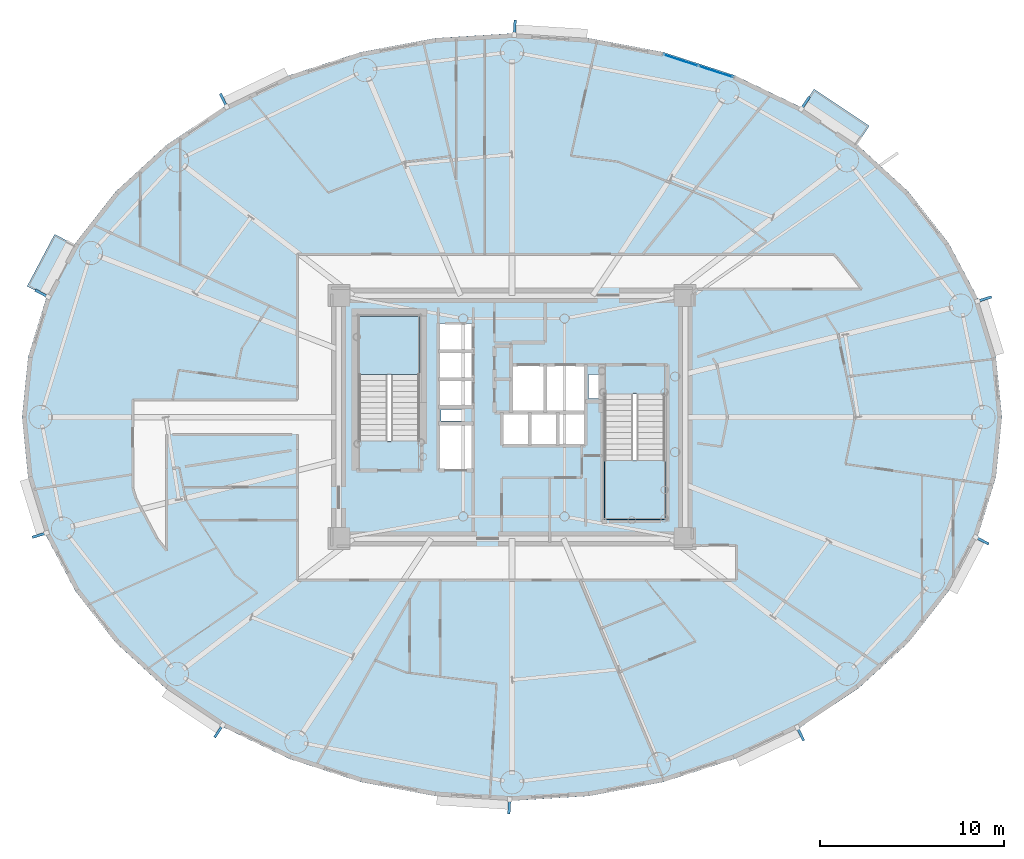
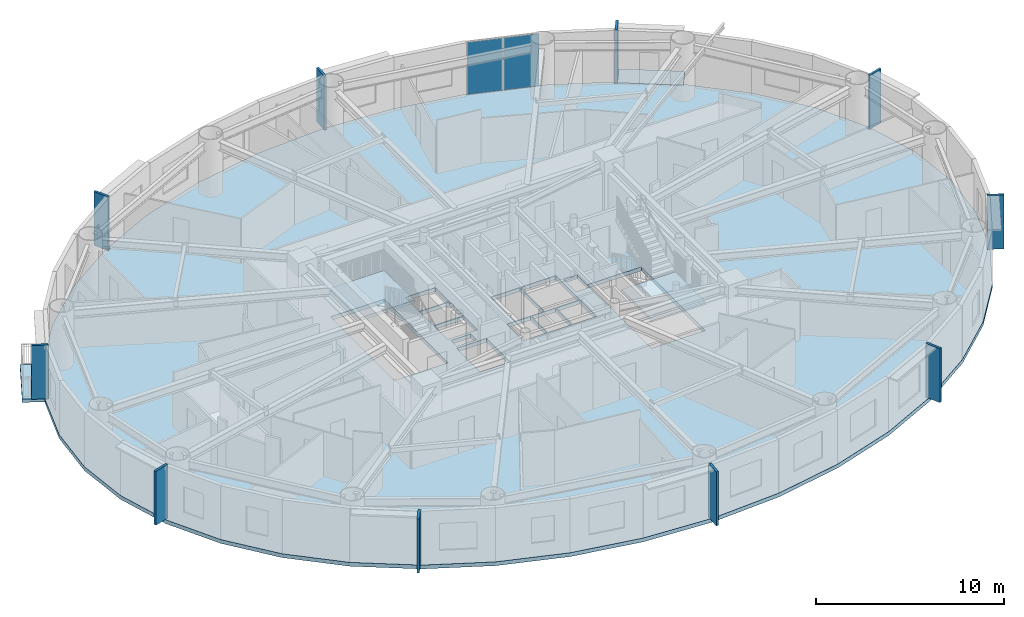
# One storey, part 6 of 21: 12 plates, 5 slabs, 3 elements without a shape of their own.
"""IFC4 building model written with IfcOpenShell, lengths in metres."""

from ifc_helpers import new_model, si_unit, direction, frame, origin, origin_2d, place, context, subcontext, project, spatial, polyline, rectangle, outline, extrude, source, transform, mapped, material, layer, layer_set, type_object, element, aggregate, save


model = new_model("IFC4")

# Units and contexts
model_context = context("Model", 3, precision=1e-05, world=origin(), true_north=direction((0.0, 1.0)))
body_context = subcontext(model_context, "Body", "Model", "MODEL_VIEW")
ifc_project = project(units=[si_unit("LENGTHUNIT", "METRE"), si_unit("AREAUNIT", "SQUARE_METRE"), si_unit("VOLUMEUNIT", "CUBIC_METRE"), si_unit("PLANEANGLEUNIT", "RADIAN"), si_unit("MASSUNIT", "GRAM", prefix="KILO")], contexts=[model_context])

# Site, building, storey
site_placement = place(None, origin())
site = spatial("IfcSite", under=ifc_project, at=site_placement, CompositionType="ELEMENT")
building_placement = place(site_placement, origin())
building = spatial("IfcBuilding", under=site, at=building_placement, Name="Linh Dai School and Residence Tower", CompositionType="ELEMENT")
storey_placement = place(building_placement, frame((0.0, 0.0, 156.14990234375)))
storey = spatial("IfcBuildingStorey", under=building, at=storey_placement, Name="L37", CompositionType="ELEMENT", Elevation=156.14990234375)

# Slabs
ifc_material_1 = material(Name="Concrete B45 (C35/45)", Category="concrete")
ifc_layer_1 = layer(ifc_material_1, 0.219970703125)
ifc_layer_set_1 = layer_set([ifc_layer_1], Name="Concrete B45 (C35/45)")
slab_type_1 = type_object("IfcSlabType", Name="SLB-BALC-220", PredefinedType="FLOOR", material=ifc_layer_set_1)
slab_1_placement = place(storey_placement, frame((0.0, 0.0, -0.219970703125)))
element("IfcSlab", 1, at=slab_1_placement, inside=storey, type_object=slab_type_1, Name="L37 Sliding Balcony Slab 06", PredefinedType="FLOOR", context=body_context, shape_type="SweptSolid", body=[
    extrude(outline(polyline([(51.681396484375, 43.72509765625), (54.673828125, 41.7236328125), (55.396484375, 42.80419921875), (52.404052734375, 44.8056640625), (51.681396484375, 43.72509765625)])), origin(), (0.0, 0.0, 1.0), 0.219970703125),
])
slab_2_placement = place(storey_placement, frame((0.0, 0.0, -0.219970703125)))
element("IfcSlab", 2, at=slab_2_placement, inside=storey, type_object=slab_type_1, Name="L37 Sliding Balcony Slab 18", PredefinedType="FLOOR", context=body_context, shape_type="SweptSolid", body=[
    extrude(outline(polyline([(10.82421875, 33.498291015625), (12.3173828125, 36.321044921875), (11.168212890625, 36.928955078125), (9.67529296875, 34.106201171875), (10.82421875, 33.498291015625)])), origin(), (0.0, 0.0, 1.0), 0.219970703125),
])
ifc_layer_2 = layer(ifc_material_1, 0.25)
ifc_layer_set_2 = layer_set([ifc_layer_2], Name="Concrete B45 (C35/45)")
slab_type_2 = type_object("IfcSlabType", Name="SLB-FLR250", PredefinedType="FLOOR", material=ifc_layer_set_2)
slab_3_placement = place(storey_placement, frame((0.0, 0.0, -0.25)))
element("IfcSlab", 3, at=slab_3_placement, inside=storey, type_object=slab_type_2, Name="L37 Composite Structural Floor Slab", PredefinedType="FLOOR", context=body_context, shape_type="SweptSolid", body=[
    extrude(outline(polyline([(62.60009765625, 27.0), (62.2724609375, 30.258544921875), (61.298095703125, 33.436767578125), (59.70068359375, 36.45654296875), (57.519775390625, 39.24365234375), (54.80908203125, 41.72900390625), (51.635009765625, 43.851806640625), (48.076171875, 45.5595703125), (44.219970703125, 46.810546875), (40.1611328125, 47.573486328125), (36.0, 47.830078125), (31.8388671875, 47.573486328125), (27.780029296875, 46.810546875), (23.923828125, 45.5595703125), (20.364990234375, 43.851806640625), (17.19091796875, 41.72900390625), (14.480224609375, 39.24365234375), (12.29931640625, 36.45654296875), (10.701904296875, 33.436767578125), (9.7275390625, 30.258544921875), (9.39990234375, 27.0), (9.7275390625, 23.741455078125), (10.701904296875, 20.563232421875), (12.29931640625, 17.54345703125), (14.480224609375, 14.75634765625), (17.19091796875, 12.27099609375), (20.364990234375, 10.148193359375), (23.923828125, 8.4404296875), (27.780029296875, 7.189453125), (31.8388671875, 6.426513671875), (36.0, 6.169921875), (40.1611328125, 6.426513671875), (44.219970703125, 7.189453125), (48.076171875, 8.4404296875), (51.635009765625, 10.148193359375), (54.80908203125, 12.27099609375), (57.519775390625, 14.75634765625), (59.70068359375, 17.54345703125), (61.298095703125, 20.563232421875), (62.2724609375, 23.741455078125), (62.60009765625, 27.0)]), holes=[polyline([(30.97998046875, 25.699951171875), (30.97998046875, 32.5), (27.679931640625, 32.5), (27.679931640625, 25.699951171875), (30.97998046875, 25.699951171875)]), polyline([(41.02001953125, 28.25), (41.02001953125, 21.449951171875), (44.320068359375, 21.449951171875), (44.320068359375, 28.25), (41.02001953125, 28.25)]), polyline([(35.97998046875, 27.280029296875), (37.77001953125, 27.280029296875), (37.77001953125, 29.820068359375), (35.97998046875, 29.820068359375), (35.97998046875, 27.280029296875)]), polyline([(32.030029296875, 24.1298828125), (33.8701171875, 24.1298828125), (33.8701171875, 26.6201171875), (32.030029296875, 26.6201171875), (32.030029296875, 24.1298828125)]), polyline([(37.830078125, 27.280029296875), (39.969970703125, 27.280029296875), (39.969970703125, 29.820068359375), (37.830078125, 29.820068359375), (37.830078125, 27.280029296875)]), polyline([(32.030029296875, 27.580078125), (33.8701171875, 27.580078125), (33.8701171875, 29.030029296875), (32.030029296875, 29.030029296875), (32.030029296875, 27.580078125)]), polyline([(32.030029296875, 29.090087890625), (33.8701171875, 29.090087890625), (33.8701171875, 30.550048828125), (32.030029296875, 30.550048828125), (32.030029296875, 29.090087890625)]), polyline([(32.030029296875, 30.610107421875), (33.8701171875, 30.610107421875), (33.8701171875, 32.070068359375), (32.030029296875, 32.070068359375), (32.030029296875, 30.610107421875)]), polyline([(35.47998046875, 25.47998046875), (36.929931640625, 25.47998046875), (36.929931640625, 27.219970703125), (35.47998046875, 27.219970703125), (35.47998046875, 25.47998046875)]), polyline([(36.989990234375, 25.47998046875), (38.449951171875, 25.47998046875), (38.449951171875, 27.219970703125), (36.989990234375, 27.219970703125), (36.989990234375, 25.47998046875)]), polyline([(38.510009765625, 25.47998046875), (39.969970703125, 25.47998046875), (39.969970703125, 27.219970703125), (38.510009765625, 27.219970703125), (38.510009765625, 25.47998046875)]), polyline([(40.14990234375, 28.0), (40.14990234375, 29.300048828125), (41.0, 29.300048828125), (41.0, 28.280029296875), (40.989990234375, 28.280029296875), (40.989990234375, 28.0), (40.14990234375, 28.0)]), polyline([(32.14990234375, 26.800048828125), (33.35009765625, 26.800048828125), (33.35009765625, 27.39990234375), (32.14990234375, 27.39990234375), (32.14990234375, 26.800048828125)])]), origin(), (0.0, 0.0, 1.0), 0.25),
])

# Stair, slab
stair_type = type_object("IfcStairType", Name="ST-DOG-1550-R1442", PredefinedType="HALF_TURN_STAIR", material=ifc_material_1)
stair_1_placement = place(storey_placement, origin())
stair_1 = element("IfcStair", 4, at=stair_1_placement, inside=storey, type_object=stair_type, Name="L37 Core Smokeproof Exit Stair ST1", PredefinedType="HALF_TURN_STAIR")
ifc_layer_3 = layer(ifc_material_1, 0.199951171875)
ifc_layer_set_3 = layer_set([ifc_layer_3], Name="Concrete B45 (C35/45)")
slab_type_3 = type_object("IfcSlabType", Name="SLB-ST-LANDING-200", PredefinedType="LANDING", material=ifc_layer_set_3)
slab_4_placement = place(storey_placement, frame((0.0, 0.0, 1.675048828125)))
slab_4 = element("IfcSlab", 5, at=slab_4_placement, type_object=slab_type_3, Name="ST1 landing 1", PredefinedType="LANDING", context=body_context, shape_type="SweptSolid", body=[
    extrude(outline(polyline([(30.97998046875, 29.300048828125), (30.97998046875, 32.5), (27.679931640625, 32.5), (27.679931640625, 29.300048828125), (30.97998046875, 29.300048828125)])), origin(), (0.0, 0.0, 1.0), 0.199951171875),
])
aggregate(stair_1, [slab_4])

stair_2_placement = place(storey_placement, origin())
stair_2 = element("IfcStair", 6, at=stair_2_placement, inside=storey, type_object=stair_type, Name="L37 Core Smokeproof Exit Stair ST2", PredefinedType="HALF_TURN_STAIR")
slab_5_placement = place(storey_placement, frame((0.0, 0.0, 1.675048828125)))
slab_5 = element("IfcSlab", 7, at=slab_5_placement, type_object=slab_type_3, Name="ST2 landing 1", PredefinedType="LANDING", context=body_context, shape_type="SweptSolid", body=[
    extrude(outline(polyline([(41.02001953125, 24.64990234375), (41.02001953125, 21.449951171875), (44.320068359375, 21.449951171875), (44.320068359375, 24.64990234375), (41.02001953125, 24.64990234375)])), origin(), (0.0, 0.0, 1.0), 0.199951171875),
])
aggregate(stair_2, [slab_5])

# Plates
ifc_material_2 = material(Name="Precast Concrete B45 (C35/45)", Category="concrete")
ifc_layer_4 = layer(ifc_material_2, 0.139892578125)
ifc_layer_set_4 = layer_set([ifc_layer_4], Name="Precast Concrete B45 (C35/45)")
plate_type_1 = type_object("IfcPlateType", Name="FIN-TC-900x140", PredefinedType="USERDEFINED", material=ifc_layer_set_4)
shared_shape_1 = source(origin(), body_context, "Body", "SweptSolid", [
    extrude(rectangle(XDim=0.89990234375, YDim=0.139892578125, at=origin_2d()), origin(), (0.0, 0.0, 1.0), 3.5),
])
for number, where, z_axis, x_axis, name in (
    (8, (61.60986328125, 33.394287109375, 0.0), (0.0, 0.0, 1.0), (0.956075055167, 0.293121969301, 0.0), "L37 Precast Terracotta Radial Fin 02"),
    (9, (51.90087890625, 44.017333984375, 0.0), (0.0, 0.0, 1.0), (0.555931154932, 0.831228338651, 0.0), "L37 Precast Terracotta Radial Fin 06"),
    (10, (36.14501953125, 48.10693359375, 0.0), (0.0, 0.0, 1.0), (0.061512376467, 0.99810632076, 0.0), "L37 Precast Terracotta Radial Fin 10"),
    (11, (20.357421875, 44.164794921875, 0.0), (0.0, 0.0, 1.0), (-0.432634701653, 0.901569306779, 0.0), "L37 Precast Terracotta Radial Fin 14"),
    (12, (10.510986328125, 33.686767578125, 0.0), (0.0, 0.0, 1.0), (-0.883950726378, 0.467580060884, 0.0), "L37 Precast Terracotta Radial Fin 18"),
    (13, (10.39013671875, 20.605712890625, 0.0), (0.0, 0.0, 1.0), (-0.956075055167, -0.293121969301, 0.0), "L37 Precast Terracotta Radial Fin 22"),
    (14, (20.09912109375, 9.982666015625, 0.0), (0.0, 0.0, 1.0), (-0.555931154932, -0.831228338651, 0.0), "L37 Precast Terracotta Radial Fin 26"),
    (15, (35.85498046875, 5.89306640625, 0.0), (0.0, 0.0, 1.0), (-0.061512376467, -0.99810632076, 0.0), "L37 Precast Terracotta Radial Fin 30"),
    (16, (51.642578125, 9.835205078125, 0.0), (0.0, 0.0, 1.0), (0.432634701653, -0.901569306779, 0.0), "L37 Precast Terracotta Radial Fin 34"),
    (17, (61.489013671875, 20.313232421875, 0.0), (0.0, 0.0, 1.0), (0.883950726378, -0.467580060884, 0.0), "L37 Precast Terracotta Radial Fin 38"),
):
    element("IfcPlate", number, at=place(storey_placement, frame(where, z_axis=z_axis, x_axis=x_axis)), inside=storey, type_object=plate_type_1, Name=name, ObjectType="RADIAL FIN", PredefinedType="USERDEFINED", context=body_context, shape_type="MappedRepresentation", body=[
        mapped(shared_shape_1, transform((0.0, 0.0, 0.0), x_axis=(1.0, 0.0, 0.0), y_axis=(0.0, 1.0, 0.0), z_axis=(0.0, 0.0, 1.0), scale=1.0)),
    ])

# Curtain wall, plates
ifc_material_3 = material(Name="Aluminium Anodised Curtain Wall", Category="aluminium")
ifc_layer_5 = layer(ifc_material_3, 0.14990234375)
ifc_layer_set_5 = layer_set([ifc_layer_5], Name="Aluminium Anodised Curtain Wall")
curtain_wall_type = type_object("IfcCurtainWallType", Name="CW-SYS-4", PredefinedType="USERDEFINED", material=ifc_layer_set_5)
curtain_wall_placement = place(storey_placement, origin())
curtain_wall = element("IfcCurtainWall", 18, at=curtain_wall_placement, inside=storey, type_object=curtain_wall_type, Name="L37 CW4 Curtain Wall 08", ObjectType="RIBBON CURTAIN WALL", PredefinedType="USERDEFINED")
ifc_material_4 = material(Name="Double Low-E Insulated Glazing", Category="glass")
ifc_layer_6 = layer(ifc_material_4, 0.02587890625)
ifc_layer_set_6 = layer_set([ifc_layer_6], Name="Double Low-E Insulated Glazing")
plate_type_2 = type_object("IfcPlateType", Name="CW-SYS-4-PAN", PredefinedType="CURTAIN_PANEL", material=ifc_layer_set_6)
shared_shape_2 = source(origin(), body_context, "Body", "SweptSolid", [
    extrude(rectangle(XDim=1.94091796875, YDim=0.02587890625, at=origin_2d()), origin(), (0.0, 0.0, 1.0), 3.39599609375),
])
plate_1_placement = place(storey_placement, frame((45.16162109375, 46.3740234375, 0.052001953125), z_axis=(0.0, 0.0, 1.0), x_axis=(0.951212761419, -0.308535707031, 0.0)))
plate_1 = element("IfcPlate", 19, at=plate_1_placement, type_object=plate_type_2, Name="CW4 panel 1.1", PredefinedType="CURTAIN_PANEL", context=body_context, shape_type="MappedRepresentation", body=[
    mapped(shared_shape_2, transform((0.0, 0.0, 0.0), x_axis=(1.0, 0.0, 0.0), y_axis=(0.0, 1.0, 0.0), z_axis=(0.0, 0.0, 1.0), scale=1.0)),
])
plate_2_placement = place(storey_placement, frame((47.057373046875, 45.759033203125, 0.052001953125), z_axis=(0.0, 0.0, 1.0), x_axis=(0.951212761419, -0.308535707031, 0.0)))
plate_2 = element("IfcPlate", 20, at=plate_2_placement, type_object=plate_type_2, Name="CW4 panel 2.1", PredefinedType="CURTAIN_PANEL", context=body_context, shape_type="MappedRepresentation", body=[
    mapped(shared_shape_2, transform((0.0, 0.0, 0.0), x_axis=(1.0, 0.0, 0.0), y_axis=(0.0, 1.0, 0.0), z_axis=(0.0, 0.0, 1.0), scale=1.0)),
])
aggregate(curtain_wall, [plate_1, plate_2])

save(model, "model.ifc")
